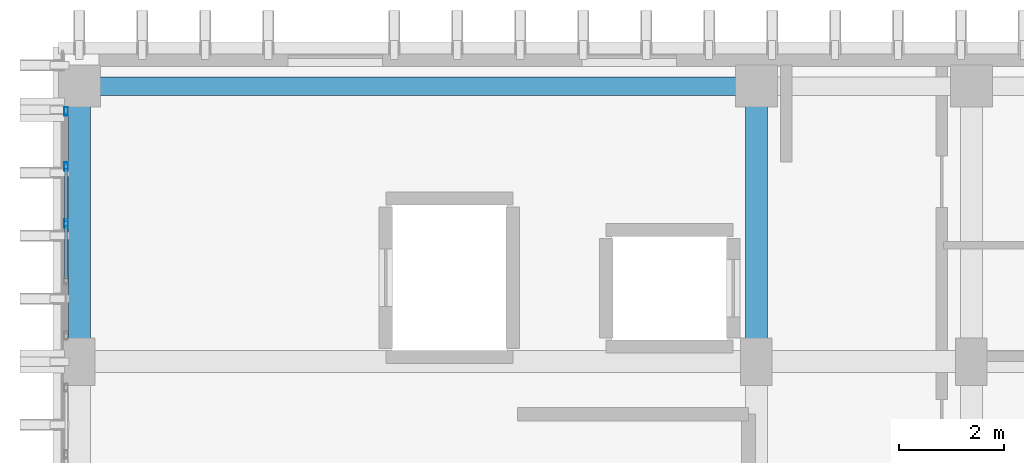
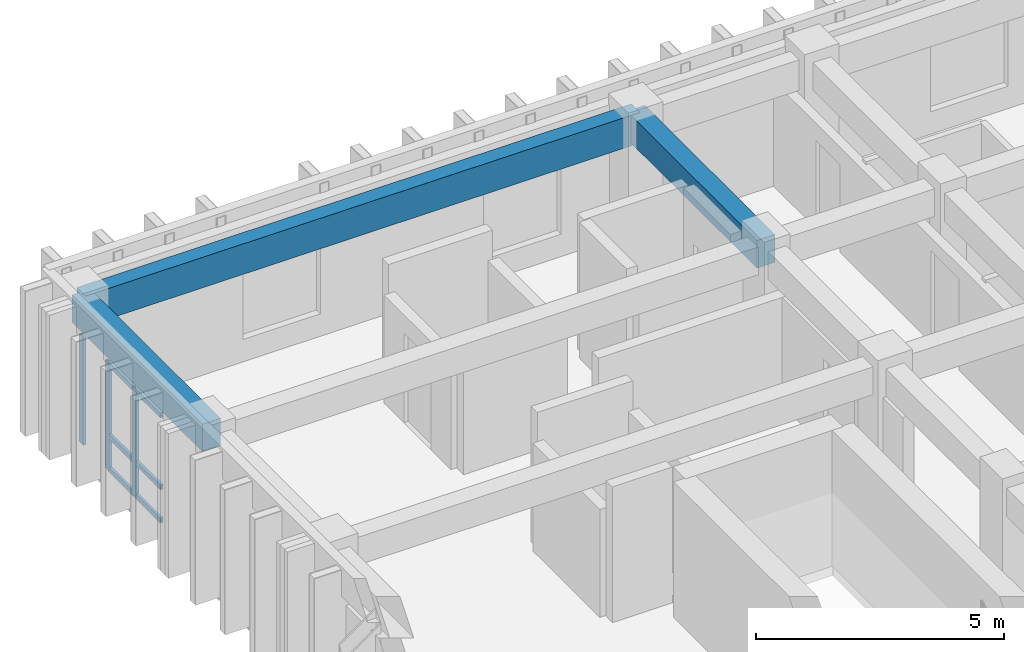
# One storey, part 54 of 82: 9 members, 3 beams, 1 element without a shape of its own.
"""IFC4 building model written with IfcOpenShell, lengths in metres."""

from ifc_helpers import new_model, si_unit, direction, frame, origin, origin_2d, place, context, subcontext, project, spatial, rectangle, hollow_rectangle, extrude, material, layer, layer_set, material_profile, profile_set, type_object, element, aggregate, save


model = new_model("IFC4")

# Units and contexts
model_context = context("Model", 3, precision=1e-05, world=origin(), true_north=direction((0.0, 1.0)))
body_context = subcontext(model_context, "Body", "Model", "MODEL_VIEW")
ifc_project = project(units=[si_unit("LENGTHUNIT", "METRE"), si_unit("AREAUNIT", "SQUARE_METRE"), si_unit("VOLUMEUNIT", "CUBIC_METRE"), si_unit("PLANEANGLEUNIT", "RADIAN"), si_unit("MASSUNIT", "GRAM", prefix="KILO")], contexts=[model_context])

# Site, building, storey
site_placement = place(None, origin())
site = spatial("IfcSite", under=ifc_project, at=site_placement, CompositionType="ELEMENT")
building_placement = place(site_placement, origin())
building = spatial("IfcBuilding", under=site, at=building_placement, Name="Nakhvara Creek Congress Hotel", CompositionType="ELEMENT")
storey_placement = place(building_placement, frame((0.0, 0.0, 21.0)))
storey = spatial("IfcBuildingStorey", under=building, at=storey_placement, Name="L04", CompositionType="ELEMENT", Elevation=21.0)

# Beams
ifc_material_1 = material(Name="Concrete C40/50", Category="concrete")
ifc_material_profile_1 = material_profile(ifc_material_1, rectangle(XDim=0.419921875, YDim=0.679931640625, at=origin_2d()), Name="RC-BM 420x680", Category="LoadBearing")
ifc_profile_set_1 = profile_set([ifc_material_profile_1], Name="Concrete C40/50")
beam_type_1 = type_object("IfcBeamType", Name="BM-RC-420X680", PredefinedType="BEAM", material=ifc_profile_set_1)
for number, where, z_axis, x_axis, name in (
    (1, (149.449951171875, 120.0, 3.0), (0.0, 1.0, 0.0), (-1.0, 0.0, 0.0), "Beam B11-L04-1940"),
    (2, (162.35009765625, 120.0, 3.0), (0.0, 1.0, 0.0), (-1.0, 0.0, 0.0), "Beam B11-L04-1974"),
):
    element("IfcBeam", number, at=place(storey_placement, frame(where, z_axis=z_axis, x_axis=x_axis)), inside=storey, type_object=beam_type_1, Name=name, PredefinedType="BEAM", context=body_context, shape_type="SweptSolid", body=[
        extrude(rectangle(XDim=0.419921875, YDim=0.679931640625, at=origin_2d()), origin(), (0.0, 0.0, 1.0), 5.25),
    ])
ifc_material_profile_2 = material_profile(ifc_material_1, rectangle(XDim=0.35009765625, YDim=0.75, at=origin_2d()), Name="RC-SPANDREL 350x750", Category="LoadBearing")
ifc_profile_set_2 = profile_set([ifc_material_profile_2], Name="Concrete C40/50")
beam_type_2 = type_object("IfcBeamType", Name="BM-SPN-350X750", PredefinedType="SPANDREL", material=ifc_profile_set_2)
beam_placement = place(storey_placement, frame((149.449951171875, 125.25, 2.965087890625), z_axis=(1.0, 0.0, 0.0), x_axis=(0.0, 1.0, 0.0)))
element("IfcBeam", 3, at=beam_placement, inside=storey, type_object=beam_type_2, Name="Beam SP1-L04-1939", PredefinedType="SPANDREL", context=body_context, shape_type="SweptSolid", body=[
    extrude(rectangle(XDim=0.35009765625, YDim=0.75, at=origin_2d()), origin(), (0.0, 0.0, 1.0), 12.900146484375),
])

# Curtain wall, members
ifc_material_2 = material(Name="Bronze-anodised aluminium AW-6063-T6 and double-silver low-E glass", Category="aluminium")
ifc_layer = layer(ifc_material_2, 0.199951171875)
ifc_layer_set = layer_set([ifc_layer], Name="Bronze-anodised aluminium AW-6063-T6 and double-silver low-E glass")
curtain_wall_type = type_object("IfcCurtainWallType", Name="CW-HTL-UNIT", PredefinedType="USERDEFINED", material=ifc_layer_set)
curtain_wall_placement = place(storey_placement, origin())
curtain_wall = element("IfcCurtainWall", 4, at=curtain_wall_placement, inside=storey, type_object=curtain_wall_type, Name="Curtain Wall CW201", ObjectType="UNITISED", PredefinedType="USERDEFINED")
ifc_material_3 = material(Name="Bronze-anodised aluminium AW-6063-T6", Category="aluminium")
ifc_material_profile_3 = material_profile(ifc_material_3, hollow_rectangle(XDim=0.06494140625, YDim=0.159912109375, WallThickness=0.00390625, at=origin_2d()), Name="ALU-MULL 65x160x4", Category="LoadBearing")
ifc_profile_set_3 = profile_set([ifc_material_profile_3], Name="Bronze-anodised aluminium AW-6063-T6")
member_type_1 = type_object("IfcMemberType", Name="CW-MULL-160", PredefinedType="MULLION", material=ifc_profile_set_3)
member_1_placement = place(storey_placement, frame((149.199951171875, 122.632568359375, 0.0), z_axis=(0.0, 0.0, 1.0), x_axis=(-1.0, 0.0, 0.0)))
member_1 = element("IfcMember", 5, at=member_1_placement, type_object=member_type_1, Name="CW201 mullion 3", PredefinedType="MULLION", context=body_context, shape_type="SweptSolid", body=[
    extrude(hollow_rectangle(XDim=0.06494140625, YDim=0.159912109375, WallThickness=0.00390625, at=origin_2d()), origin(), (0.0, 0.0, 1.0), 2.652099609375),
])
member_2_placement = place(storey_placement, frame((149.199951171875, 123.71630859375, 0.0), z_axis=(0.0, 0.0, 1.0), x_axis=(-1.0, 0.0, 0.0)))
member_2 = element("IfcMember", 6, at=member_2_placement, type_object=member_type_1, Name="CW201 mullion 4", PredefinedType="MULLION", context=body_context, shape_type="SweptSolid", body=[
    extrude(hollow_rectangle(XDim=0.06494140625, YDim=0.159912109375, WallThickness=0.00390625, at=origin_2d()), origin(), (0.0, 0.0, 1.0), 2.652099609375),
])
member_3_placement = place(storey_placement, frame((149.199951171875, 124.767578125, 0.0), z_axis=(0.0, 0.0, 1.0), x_axis=(-1.0, 0.0, 0.0)))
member_3 = element("IfcMember", 7, at=member_3_placement, type_object=member_type_1, Name="CW201 mullion 5", PredefinedType="MULLION", context=body_context, shape_type="SweptSolid", body=[
    extrude(hollow_rectangle(XDim=0.06494140625, YDim=0.159912109375, WallThickness=0.00390625, at=origin_2d()), origin(), (0.0, 0.0, 1.0), 2.652099609375),
])
ifc_material_profile_4 = material_profile(ifc_material_3, hollow_rectangle(XDim=0.06494140625, YDim=0.1201171875, WallThickness=0.00390625, at=origin_2d()), Name="ALU-TRAN 65x120x4", Category="LoadBearing")
ifc_profile_set_4 = profile_set([ifc_material_profile_4], Name="Bronze-anodised aluminium AW-6063-T6")
member_type_2 = type_object("IfcMemberType", Name="CW-TRAN-120", PredefinedType="USERDEFINED", material=ifc_profile_set_4)
member_4_placement = place(storey_placement, frame((149.199951171875, 121.581298828125, 0.032470703125), z_axis=(0.0, 1.0, 0.0), x_axis=(-1.0, 0.0, 0.0)))
member_4 = element("IfcMember", 8, at=member_4_placement, type_object=member_type_2, Name="CW201 transom 2.1", ObjectType="TRANSOM", PredefinedType="USERDEFINED", context=body_context, shape_type="SweptSolid", body=[
    extrude(hollow_rectangle(XDim=0.06494140625, YDim=0.1201171875, WallThickness=0.00390625, at=origin_2d()), origin(), (0.0, 0.0, 1.0), 1.018798828125),
])
member_5_placement = place(storey_placement, frame((149.199951171875, 121.581298828125, 0.85009765625), z_axis=(0.0, 1.0, 0.0), x_axis=(-1.0, 0.0, 0.0)))
member_5 = element("IfcMember", 9, at=member_5_placement, type_object=member_type_2, Name="CW201 transom 2.2", ObjectType="TRANSOM", PredefinedType="USERDEFINED", context=body_context, shape_type="SweptSolid", body=[
    extrude(hollow_rectangle(XDim=0.06494140625, YDim=0.1201171875, WallThickness=0.00390625, at=origin_2d()), origin(), (0.0, 0.0, 1.0), 1.018798828125),
])
member_6_placement = place(storey_placement, frame((149.199951171875, 121.581298828125, 2.619384765625), z_axis=(0.0, 1.0, 0.0), x_axis=(-1.0, 0.0, 0.0)))
member_6 = element("IfcMember", 10, at=member_6_placement, type_object=member_type_2, Name="CW201 transom 2.3", ObjectType="TRANSOM", PredefinedType="USERDEFINED", context=body_context, shape_type="SweptSolid", body=[
    extrude(hollow_rectangle(XDim=0.06494140625, YDim=0.1201171875, WallThickness=0.00390625, at=origin_2d()), origin(), (0.0, 0.0, 1.0), 1.018798828125),
])
member_7_placement = place(storey_placement, frame((149.199951171875, 122.6650390625, 0.032470703125), z_axis=(0.0, 1.0, 0.0), x_axis=(-1.0, 0.0, 0.0)))
member_7 = element("IfcMember", 11, at=member_7_placement, type_object=member_type_2, Name="CW201 transom 3.1", ObjectType="TRANSOM", PredefinedType="USERDEFINED", context=body_context, shape_type="SweptSolid", body=[
    extrude(hollow_rectangle(XDim=0.06494140625, YDim=0.1201171875, WallThickness=0.00390625, at=origin_2d()), origin(), (0.0, 0.0, 1.0), 1.018798828125),
])
member_8_placement = place(storey_placement, frame((149.199951171875, 122.6650390625, 0.85009765625), z_axis=(0.0, 1.0, 0.0), x_axis=(-1.0, 0.0, 0.0)))
member_8 = element("IfcMember", 12, at=member_8_placement, type_object=member_type_2, Name="CW201 transom 3.2", ObjectType="TRANSOM", PredefinedType="USERDEFINED", context=body_context, shape_type="SweptSolid", body=[
    extrude(hollow_rectangle(XDim=0.06494140625, YDim=0.1201171875, WallThickness=0.00390625, at=origin_2d()), origin(), (0.0, 0.0, 1.0), 1.018798828125),
])
member_9_placement = place(storey_placement, frame((149.199951171875, 122.6650390625, 2.619384765625), z_axis=(0.0, 1.0, 0.0), x_axis=(-1.0, 0.0, 0.0)))
member_9 = element("IfcMember", 13, at=member_9_placement, type_object=member_type_2, Name="CW201 transom 3.3", ObjectType="TRANSOM", PredefinedType="USERDEFINED", context=body_context, shape_type="SweptSolid", body=[
    extrude(hollow_rectangle(XDim=0.06494140625, YDim=0.1201171875, WallThickness=0.00390625, at=origin_2d()), origin(), (0.0, 0.0, 1.0), 1.018798828125),
])
aggregate(curtain_wall, [member_1, member_2, member_3, member_4, member_5, member_6, member_7, member_8, member_9])

save(model, "model.ifc")
